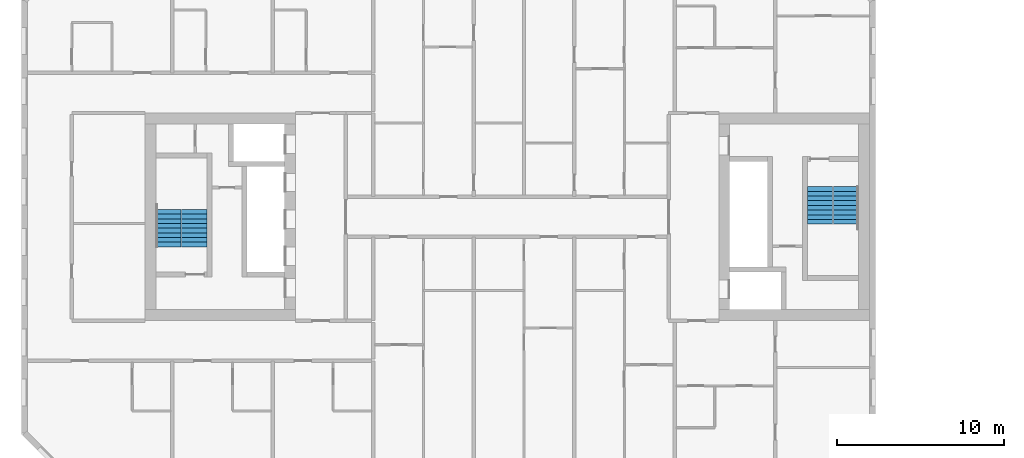
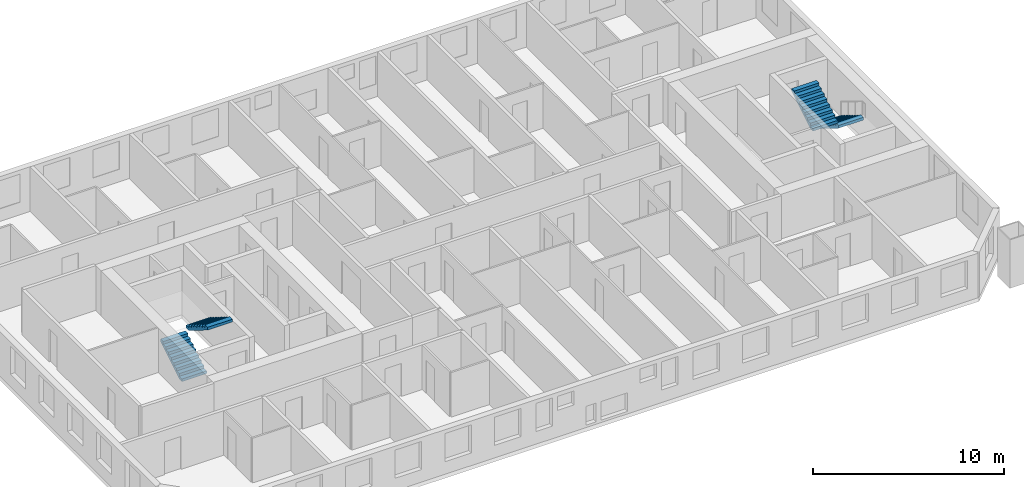
# One storey, part 15 of 16: 4 stair flights, 2 elements without a shape of their own.
"""IFC4 building model written with IfcOpenShell, lengths in metres."""

from ifc_helpers import new_model, si_unit, direction, frame, origin, place, context, subcontext, project, spatial, faceted_brep, material, type_object, element, aggregate, save


model = new_model("IFC4")

# Units and contexts
model_context = context("Model", 3, precision=1e-05, world=origin(), true_north=direction((0.0, 1.0)))
body_context = subcontext(model_context, "Body", "Model", "MODEL_VIEW")
ifc_project = project(units=[si_unit("LENGTHUNIT", "METRE"), si_unit("AREAUNIT", "SQUARE_METRE"), si_unit("VOLUMEUNIT", "CUBIC_METRE"), si_unit("PLANEANGLEUNIT", "RADIAN"), si_unit("MASSUNIT", "GRAM", prefix="KILO")], contexts=[model_context])

# Site, building, storey
site_placement = place(None, origin())
site = spatial("IfcSite", under=ifc_project, at=site_placement, CompositionType="ELEMENT")
building_placement = place(site_placement, origin())
building = spatial("IfcBuilding", under=site, at=building_placement, Name="Tuart Gate Housing", CompositionType="ELEMENT")
storey_placement = place(building_placement, frame((0.0, 0.0, 111.89990234375)))
storey = spatial("IfcBuildingStorey", under=building, at=storey_placement, Name="L31", CompositionType="ELEMENT", Elevation=111.89990234375)

# Stair, stair flights
ifc_material_1 = material(Name="Concrete C40", Category="concrete")
stair_type = type_object("IfcStairType", Name="Core stair 1500", PredefinedType="HALF_TURN_STAIR", material=ifc_material_1)
stair_1_placement = place(storey_placement, origin())
stair_1 = element("IfcStair", 1, at=stair_1_placement, inside=storey, type_object=stair_type, Name="Stair SA1", PredefinedType="HALF_TURN_STAIR")
ifc_material_2 = material(Name="Concrete C40", Category="concrete")
stair_flight_type = type_object("IfcStairFlightType", Name="Stair flight 1500, 9 risers 172 x 280", PredefinedType="STRAIGHT", material=ifc_material_2)
stair_flight_1_placement = place(storey_placement, frame((74.239990234375, 71.800048828125, 0.0), z_axis=(0.0, 0.0, 1.0), x_axis=(0.0, -1.0, 0.0)))
stair_flight_1 = element("IfcStairFlight", 2, at=stair_flight_1_placement, type_object=stair_flight_type, Name="SA1 flight 1", NumberOfRisers=9, NumberOfTreads=8, PredefinedType="STRAIGHT", RiserHeight=0.172222222, TreadLength=0.28, context=body_context, shape_type="Brep", body=[
    faceted_brep([(0.0, 0.75, 0.0), (0.0, 0.75, 0.172119140625), (0.280029296875, 0.75, 0.172119140625), (0.280029296875, 0.75, 0.344482421875), (0.56005859375, 0.75, 0.344482421875), (0.56005859375, 0.75, 0.5166015625), (0.840087890625, 0.75, 0.5166015625), (0.840087890625, 0.75, 0.68896484375), (1.1201171875, 0.75, 0.68896484375), (1.1201171875, 0.75, 0.861083984375), (1.39990234375, 0.75, 0.861083984375), (1.39990234375, 0.75, 1.033447265625), (1.679931640625, 0.75, 1.033447265625), (1.679931640625, 0.75, 1.20556640625), (1.9599609375, 0.75, 1.20556640625), (1.9599609375, 0.75, 1.377685546875), (2.239990234375, 0.75, 1.377685546875), (2.239990234375, 0.75, 1.201904296875), (0.2861328125, 0.75, 0.0), (0.2861328125, -0.75, 0.0), (2.239990234375, -0.75, 1.201904296875), (2.239990234375, -0.75, 1.377685546875), (1.9599609375, -0.75, 1.377685546875), (1.9599609375, -0.75, 1.20556640625), (1.679931640625, -0.75, 1.20556640625), (1.679931640625, -0.75, 1.033447265625), (1.39990234375, -0.75, 1.033447265625), (1.39990234375, -0.75, 0.861083984375), (1.1201171875, -0.75, 0.861083984375), (1.1201171875, -0.75, 0.68896484375), (0.840087890625, -0.75, 0.68896484375), (0.840087890625, -0.75, 0.5166015625), (0.56005859375, -0.75, 0.5166015625), (0.56005859375, -0.75, 0.344482421875), (0.280029296875, -0.75, 0.344482421875), (0.280029296875, -0.75, 0.172119140625), (0.0, -0.75, 0.172119140625), (0.0, -0.75, 0.0), (2.239990234375, 0.0, 1.201904296875), (0.2861328125, 0.0, 0.0), (2.239990234375, 0.0, 1.377685546875), (1.9599609375, 0.0, 1.377685546875), (1.9599609375, 0.0, 1.20556640625), (1.679931640625, 0.0, 1.20556640625), (1.679931640625, 0.0, 1.033447265625), (1.39990234375, 0.0, 1.033447265625), (1.39990234375, 0.0, 0.861083984375), (1.1201171875, 0.0, 0.861083984375), (1.1201171875, 0.0, 0.68896484375), (0.840087890625, 0.0, 0.68896484375), (0.840087890625, 0.0, 0.5166015625), (0.56005859375, 0.0, 0.5166015625), (0.56005859375, 0.0, 0.344482421875), (0.280029296875, 0.0, 0.344482421875), (0.280029296875, 0.0, 0.172119140625), (0.0, 0.0, 0.172119140625), (0.0, 0.0, 0.0)], [[[0, 1, 2, 3, 4, 5, 6, 7, 8, 9, 10, 11, 12, 13, 14, 15, 16, 17, 18]], [[19, 20, 21, 22, 23, 24, 25, 26, 27, 28, 29, 30, 31, 32, 33, 34, 35, 36, 37]], [[18, 17, 38, 39]], [[39, 38, 20, 19]], [[17, 16, 40, 38]], [[38, 40, 21, 20]], [[16, 15, 41, 40]], [[40, 41, 22, 21]], [[15, 14, 42, 41]], [[41, 42, 23, 22]], [[14, 13, 43, 42]], [[42, 43, 24, 23]], [[13, 12, 44, 43]], [[43, 44, 25, 24]], [[12, 11, 45, 44]], [[44, 45, 26, 25]], [[11, 10, 46, 45]], [[45, 46, 27, 26]], [[10, 9, 47, 46]], [[46, 47, 28, 27]], [[9, 8, 48, 47]], [[47, 48, 29, 28]], [[8, 7, 49, 48]], [[48, 49, 30, 29]], [[7, 6, 50, 49]], [[49, 50, 31, 30]], [[6, 5, 51, 50]], [[50, 51, 32, 31]], [[5, 4, 52, 51]], [[51, 52, 33, 32]], [[4, 3, 53, 52]], [[52, 53, 34, 33]], [[3, 2, 54, 53]], [[53, 54, 35, 34]], [[2, 1, 55, 54]], [[54, 55, 36, 35]], [[1, 0, 56, 55]], [[55, 56, 37, 36]], [[0, 18, 39, 56]], [[56, 39, 19, 37]]]),
])
stair_flight_2_placement = place(storey_placement, frame((72.68994140625, 69.56005859375, 1.550048828125), z_axis=(0.0, 0.0, 1.0), x_axis=(0.0, 1.0, 0.0)))
stair_flight_2 = element("IfcStairFlight", 3, at=stair_flight_2_placement, type_object=stair_flight_type, Name="SA1 flight 2", NumberOfRisers=9, NumberOfTreads=8, PredefinedType="STRAIGHT", RiserHeight=0.172222222, TreadLength=0.28, context=body_context, shape_type="Brep", body=[
    faceted_brep([(0.0, 0.75, 0.0), (0.0, 0.75, 0.172119140625), (0.280029296875, 0.75, 0.172119140625), (0.280029296875, 0.75, 0.344482421875), (0.56005859375, 0.75, 0.344482421875), (0.56005859375, 0.75, 0.5166015625), (0.840087890625, 0.75, 0.5166015625), (0.840087890625, 0.75, 0.68896484375), (1.1201171875, 0.75, 0.68896484375), (1.1201171875, 0.75, 0.861083984375), (1.39990234375, 0.75, 0.861083984375), (1.39990234375, 0.75, 1.033447265625), (1.679931640625, 0.75, 1.033447265625), (1.679931640625, 0.75, 1.20556640625), (1.9599609375, 0.75, 1.20556640625), (1.9599609375, 0.75, 1.377685546875), (2.239990234375, 0.75, 1.377685546875), (2.239990234375, 0.75, 1.201904296875), (0.2861328125, 0.75, 0.0), (0.2861328125, -0.75, 0.0), (2.239990234375, -0.75, 1.201904296875), (2.239990234375, -0.75, 1.377685546875), (1.9599609375, -0.75, 1.377685546875), (1.9599609375, -0.75, 1.20556640625), (1.679931640625, -0.75, 1.20556640625), (1.679931640625, -0.75, 1.033447265625), (1.39990234375, -0.75, 1.033447265625), (1.39990234375, -0.75, 0.861083984375), (1.1201171875, -0.75, 0.861083984375), (1.1201171875, -0.75, 0.68896484375), (0.840087890625, -0.75, 0.68896484375), (0.840087890625, -0.75, 0.5166015625), (0.56005859375, -0.75, 0.5166015625), (0.56005859375, -0.75, 0.344482421875), (0.280029296875, -0.75, 0.344482421875), (0.280029296875, -0.75, 0.172119140625), (0.0, -0.75, 0.172119140625), (0.0, -0.75, 0.0), (2.239990234375, 0.0, 1.201904296875), (0.2861328125, 0.0, 0.0), (2.239990234375, 0.0, 1.377685546875), (1.9599609375, 0.0, 1.377685546875), (1.9599609375, 0.0, 1.20556640625), (1.679931640625, 0.0, 1.20556640625), (1.679931640625, 0.0, 1.033447265625), (1.39990234375, 0.0, 1.033447265625), (1.39990234375, 0.0, 0.861083984375), (1.1201171875, 0.0, 0.861083984375), (1.1201171875, 0.0, 0.68896484375), (0.840087890625, 0.0, 0.68896484375), (0.840087890625, 0.0, 0.5166015625), (0.56005859375, 0.0, 0.5166015625), (0.56005859375, 0.0, 0.344482421875), (0.280029296875, 0.0, 0.344482421875), (0.280029296875, 0.0, 0.172119140625), (0.0, 0.0, 0.172119140625), (0.0, 0.0, 0.0)], [[[0, 1, 2, 3, 4, 5, 6, 7, 8, 9, 10, 11, 12, 13, 14, 15, 16, 17, 18]], [[19, 20, 21, 22, 23, 24, 25, 26, 27, 28, 29, 30, 31, 32, 33, 34, 35, 36, 37]], [[18, 17, 38, 39]], [[39, 38, 20, 19]], [[17, 16, 40, 38]], [[38, 40, 21, 20]], [[16, 15, 41, 40]], [[40, 41, 22, 21]], [[15, 14, 42, 41]], [[41, 42, 23, 22]], [[14, 13, 43, 42]], [[42, 43, 24, 23]], [[13, 12, 44, 43]], [[43, 44, 25, 24]], [[12, 11, 45, 44]], [[44, 45, 26, 25]], [[11, 10, 46, 45]], [[45, 46, 27, 26]], [[10, 9, 47, 46]], [[46, 47, 28, 27]], [[9, 8, 48, 47]], [[47, 48, 29, 28]], [[8, 7, 49, 48]], [[48, 49, 30, 29]], [[7, 6, 50, 49]], [[49, 50, 31, 30]], [[6, 5, 51, 50]], [[50, 51, 32, 31]], [[5, 4, 52, 51]], [[51, 52, 33, 32]], [[4, 3, 53, 52]], [[52, 53, 34, 33]], [[3, 2, 54, 53]], [[53, 54, 35, 34]], [[2, 1, 55, 54]], [[54, 55, 36, 35]], [[1, 0, 56, 55]], [[55, 56, 37, 36]], [[0, 18, 39, 56]], [[56, 39, 19, 37]]]),
])
aggregate(stair_1, [stair_flight_1, stair_flight_2])

stair_2_placement = place(storey_placement, origin())
stair_2 = element("IfcStair", 4, at=stair_2_placement, inside=storey, type_object=stair_type, Name="Stair SA2", PredefinedType="HALF_TURN_STAIR")
stair_flight_3_placement = place(storey_placement, frame((33.760009765625, 68.199951171875, 0.0), z_axis=(0.0, 0.0, 1.0), x_axis=(0.0, 1.0, 0.0)))
stair_flight_3 = element("IfcStairFlight", 5, at=stair_flight_3_placement, type_object=stair_flight_type, Name="SA2 flight 1", NumberOfRisers=9, NumberOfTreads=8, PredefinedType="STRAIGHT", RiserHeight=0.172222222, TreadLength=0.28, context=body_context, shape_type="Brep", body=[
    faceted_brep([(0.0, 0.75, 0.0), (0.0, 0.75, 0.172119140625), (0.280029296875, 0.75, 0.172119140625), (0.280029296875, 0.75, 0.344482421875), (0.56005859375, 0.75, 0.344482421875), (0.56005859375, 0.75, 0.5166015625), (0.840087890625, 0.75, 0.5166015625), (0.840087890625, 0.75, 0.68896484375), (1.1201171875, 0.75, 0.68896484375), (1.1201171875, 0.75, 0.861083984375), (1.39990234375, 0.75, 0.861083984375), (1.39990234375, 0.75, 1.033447265625), (1.679931640625, 0.75, 1.033447265625), (1.679931640625, 0.75, 1.20556640625), (1.9599609375, 0.75, 1.20556640625), (1.9599609375, 0.75, 1.377685546875), (2.239990234375, 0.75, 1.377685546875), (2.239990234375, 0.75, 1.201904296875), (0.2861328125, 0.75, 0.0), (0.2861328125, -0.75, 0.0), (2.239990234375, -0.75, 1.201904296875), (2.239990234375, -0.75, 1.377685546875), (1.9599609375, -0.75, 1.377685546875), (1.9599609375, -0.75, 1.20556640625), (1.679931640625, -0.75, 1.20556640625), (1.679931640625, -0.75, 1.033447265625), (1.39990234375, -0.75, 1.033447265625), (1.39990234375, -0.75, 0.861083984375), (1.1201171875, -0.75, 0.861083984375), (1.1201171875, -0.75, 0.68896484375), (0.840087890625, -0.75, 0.68896484375), (0.840087890625, -0.75, 0.5166015625), (0.56005859375, -0.75, 0.5166015625), (0.56005859375, -0.75, 0.344482421875), (0.280029296875, -0.75, 0.344482421875), (0.280029296875, -0.75, 0.172119140625), (0.0, -0.75, 0.172119140625), (0.0, -0.75, 0.0), (2.239990234375, 0.0, 1.201904296875), (0.2861328125, 0.0, 0.0), (2.239990234375, 0.0, 1.377685546875), (1.9599609375, 0.0, 1.377685546875), (1.9599609375, 0.0, 1.20556640625), (1.679931640625, 0.0, 1.20556640625), (1.679931640625, 0.0, 1.033447265625), (1.39990234375, 0.0, 1.033447265625), (1.39990234375, 0.0, 0.861083984375), (1.1201171875, 0.0, 0.861083984375), (1.1201171875, 0.0, 0.68896484375), (0.840087890625, 0.0, 0.68896484375), (0.840087890625, 0.0, 0.5166015625), (0.56005859375, 0.0, 0.5166015625), (0.56005859375, 0.0, 0.344482421875), (0.280029296875, 0.0, 0.344482421875), (0.280029296875, 0.0, 0.172119140625), (0.0, 0.0, 0.172119140625), (0.0, 0.0, 0.0)], [[[0, 1, 2, 3, 4, 5, 6, 7, 8, 9, 10, 11, 12, 13, 14, 15, 16, 17, 18]], [[19, 20, 21, 22, 23, 24, 25, 26, 27, 28, 29, 30, 31, 32, 33, 34, 35, 36, 37]], [[18, 17, 38, 39]], [[39, 38, 20, 19]], [[17, 16, 40, 38]], [[38, 40, 21, 20]], [[16, 15, 41, 40]], [[40, 41, 22, 21]], [[15, 14, 42, 41]], [[41, 42, 23, 22]], [[14, 13, 43, 42]], [[42, 43, 24, 23]], [[13, 12, 44, 43]], [[43, 44, 25, 24]], [[12, 11, 45, 44]], [[44, 45, 26, 25]], [[11, 10, 46, 45]], [[45, 46, 27, 26]], [[10, 9, 47, 46]], [[46, 47, 28, 27]], [[9, 8, 48, 47]], [[47, 48, 29, 28]], [[8, 7, 49, 48]], [[48, 49, 30, 29]], [[7, 6, 50, 49]], [[49, 50, 31, 30]], [[6, 5, 51, 50]], [[50, 51, 32, 31]], [[5, 4, 52, 51]], [[51, 52, 33, 32]], [[4, 3, 53, 52]], [[52, 53, 34, 33]], [[3, 2, 54, 53]], [[53, 54, 35, 34]], [[2, 1, 55, 54]], [[54, 55, 36, 35]], [[1, 0, 56, 55]], [[55, 56, 37, 36]], [[0, 18, 39, 56]], [[56, 39, 19, 37]]]),
])
stair_flight_4_placement = place(storey_placement, frame((35.31005859375, 70.43994140625, 1.550048828125), z_axis=(0.0, 0.0, 1.0), x_axis=(0.0, -1.0, 0.0)))
stair_flight_4 = element("IfcStairFlight", 6, at=stair_flight_4_placement, type_object=stair_flight_type, Name="SA2 flight 2", NumberOfRisers=9, NumberOfTreads=8, PredefinedType="STRAIGHT", RiserHeight=0.172222222, TreadLength=0.28, context=body_context, shape_type="Brep", body=[
    faceted_brep([(0.0, 0.75, 0.0), (0.0, 0.75, 0.172119140625), (0.280029296875, 0.75, 0.172119140625), (0.280029296875, 0.75, 0.344482421875), (0.56005859375, 0.75, 0.344482421875), (0.56005859375, 0.75, 0.5166015625), (0.840087890625, 0.75, 0.5166015625), (0.840087890625, 0.75, 0.68896484375), (1.1201171875, 0.75, 0.68896484375), (1.1201171875, 0.75, 0.861083984375), (1.39990234375, 0.75, 0.861083984375), (1.39990234375, 0.75, 1.033447265625), (1.679931640625, 0.75, 1.033447265625), (1.679931640625, 0.75, 1.20556640625), (1.9599609375, 0.75, 1.20556640625), (1.9599609375, 0.75, 1.377685546875), (2.239990234375, 0.75, 1.377685546875), (2.239990234375, 0.75, 1.201904296875), (0.2861328125, 0.75, 0.0), (0.2861328125, -0.75, 0.0), (2.239990234375, -0.75, 1.201904296875), (2.239990234375, -0.75, 1.377685546875), (1.9599609375, -0.75, 1.377685546875), (1.9599609375, -0.75, 1.20556640625), (1.679931640625, -0.75, 1.20556640625), (1.679931640625, -0.75, 1.033447265625), (1.39990234375, -0.75, 1.033447265625), (1.39990234375, -0.75, 0.861083984375), (1.1201171875, -0.75, 0.861083984375), (1.1201171875, -0.75, 0.68896484375), (0.840087890625, -0.75, 0.68896484375), (0.840087890625, -0.75, 0.5166015625), (0.56005859375, -0.75, 0.5166015625), (0.56005859375, -0.75, 0.344482421875), (0.280029296875, -0.75, 0.344482421875), (0.280029296875, -0.75, 0.172119140625), (0.0, -0.75, 0.172119140625), (0.0, -0.75, 0.0), (2.239990234375, 0.0, 1.201904296875), (0.2861328125, 0.0, 0.0), (2.239990234375, 0.0, 1.377685546875), (1.9599609375, 0.0, 1.377685546875), (1.9599609375, 0.0, 1.20556640625), (1.679931640625, 0.0, 1.20556640625), (1.679931640625, 0.0, 1.033447265625), (1.39990234375, 0.0, 1.033447265625), (1.39990234375, 0.0, 0.861083984375), (1.1201171875, 0.0, 0.861083984375), (1.1201171875, 0.0, 0.68896484375), (0.840087890625, 0.0, 0.68896484375), (0.840087890625, 0.0, 0.5166015625), (0.56005859375, 0.0, 0.5166015625), (0.56005859375, 0.0, 0.344482421875), (0.280029296875, 0.0, 0.344482421875), (0.280029296875, 0.0, 0.172119140625), (0.0, 0.0, 0.172119140625), (0.0, 0.0, 0.0)], [[[0, 1, 2, 3, 4, 5, 6, 7, 8, 9, 10, 11, 12, 13, 14, 15, 16, 17, 18]], [[19, 20, 21, 22, 23, 24, 25, 26, 27, 28, 29, 30, 31, 32, 33, 34, 35, 36, 37]], [[18, 17, 38, 39]], [[39, 38, 20, 19]], [[17, 16, 40, 38]], [[38, 40, 21, 20]], [[16, 15, 41, 40]], [[40, 41, 22, 21]], [[15, 14, 42, 41]], [[41, 42, 23, 22]], [[14, 13, 43, 42]], [[42, 43, 24, 23]], [[13, 12, 44, 43]], [[43, 44, 25, 24]], [[12, 11, 45, 44]], [[44, 45, 26, 25]], [[11, 10, 46, 45]], [[45, 46, 27, 26]], [[10, 9, 47, 46]], [[46, 47, 28, 27]], [[9, 8, 48, 47]], [[47, 48, 29, 28]], [[8, 7, 49, 48]], [[48, 49, 30, 29]], [[7, 6, 50, 49]], [[49, 50, 31, 30]], [[6, 5, 51, 50]], [[50, 51, 32, 31]], [[5, 4, 52, 51]], [[51, 52, 33, 32]], [[4, 3, 53, 52]], [[52, 53, 34, 33]], [[3, 2, 54, 53]], [[53, 54, 35, 34]], [[2, 1, 55, 54]], [[54, 55, 36, 35]], [[1, 0, 56, 55]], [[55, 56, 37, 36]], [[0, 18, 39, 56]], [[56, 39, 19, 37]]]),
])
aggregate(stair_2, [stair_flight_3, stair_flight_4])

save(model, "model.ifc")
